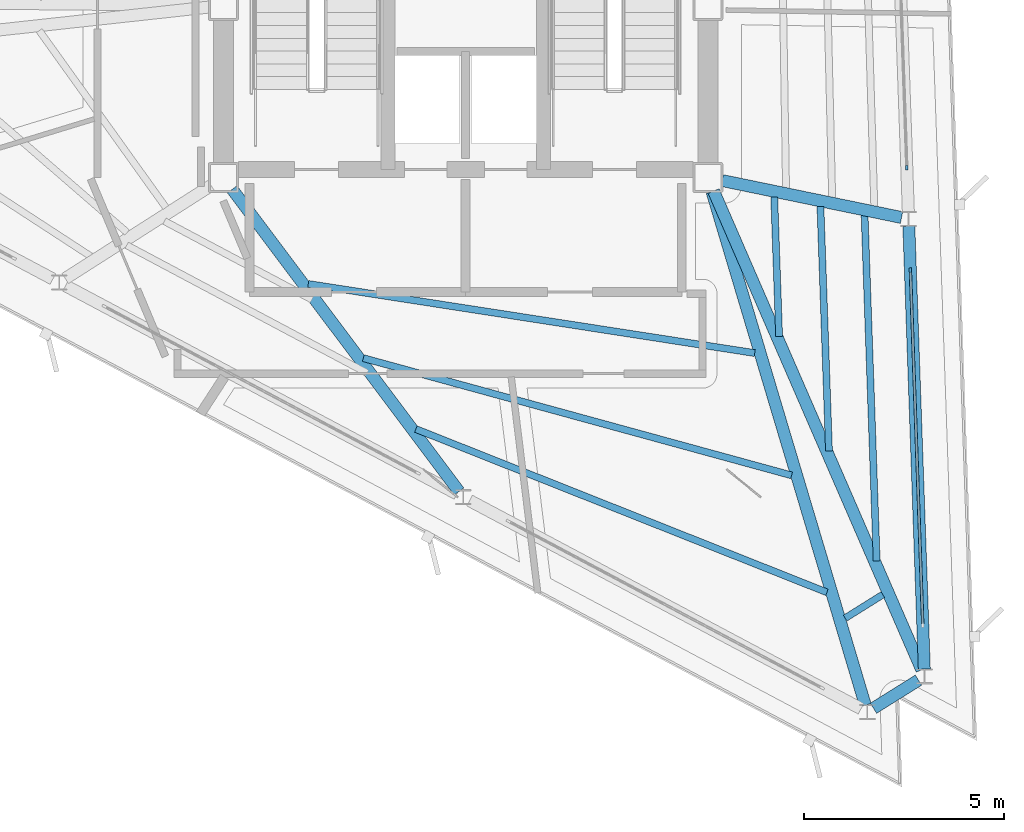
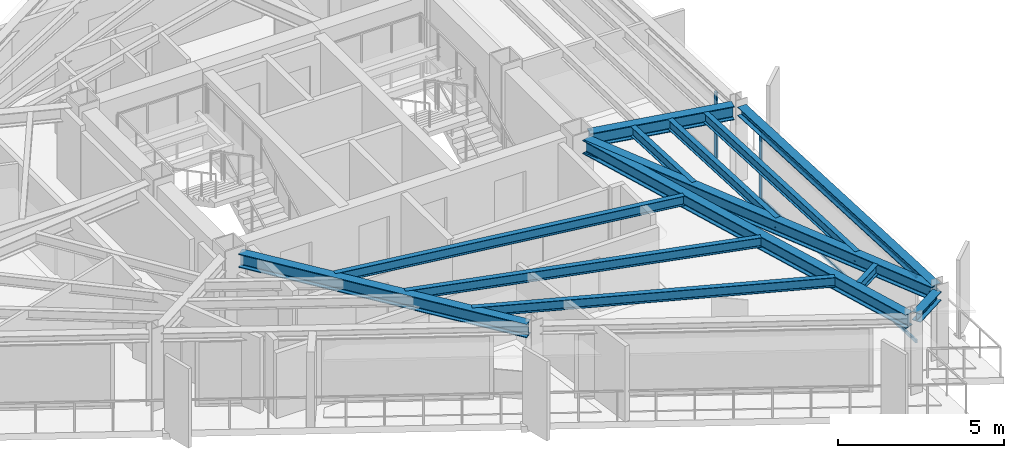
# One storey, part 3 of 13: 13 beams, 4 members, 2 elements without a shape of their own.
"""IFC4 building model written with IfcOpenShell, lengths in metres."""

from ifc_helpers import new_model, si_unit, direction, frame, origin, origin_2d, place, context, subcontext, project, spatial, rectangle, i_section, extrude, material, layer, layer_set, material_profile, profile_set, type_object, element, aggregate, save


model = new_model("IFC4")

# Units and contexts
model_context = context("Model", 3, precision=1e-05, world=origin(), true_north=direction((0.0, 1.0)))
body_context = subcontext(model_context, "Body", "Model", "MODEL_VIEW")
ifc_project = project(units=[si_unit("LENGTHUNIT", "METRE"), si_unit("AREAUNIT", "SQUARE_METRE"), si_unit("VOLUMEUNIT", "CUBIC_METRE"), si_unit("PLANEANGLEUNIT", "RADIAN"), si_unit("MASSUNIT", "GRAM", prefix="KILO")], contexts=[model_context])

# Site, building, storey
site_placement = place(None, origin())
site = spatial("IfcSite", under=ifc_project, at=site_placement, CompositionType="ELEMENT")
building_placement = place(site_placement, origin())
building = spatial("IfcBuilding", under=site, at=building_placement, Name="Rocaltana Carrier Exchange", CompositionType="ELEMENT")
storey_placement = place(building_placement, frame((0.0, 0.0, 208.800048828125)))
storey = spatial("IfcBuildingStorey", under=building, at=storey_placement, Name="L66", CompositionType="ELEMENT", Elevation=208.800048828125)

# Curtain wall, member
ifc_material_1 = material(Name="Aluminium 6063-T6", Category="aluminium")
ifc_layer = layer(ifc_material_1, 0.1201171875)
ifc_layer_set = layer_set([ifc_layer], Name="Aluminium 6063-T6")
curtain_wall_type = type_object("IfcCurtainWallType", Name="High-Altitude Thermal Curtain Wall CW-05", PredefinedType="NOTDEFINED", material=ifc_layer_set)
curtain_wall_1_placement = place(storey_placement, origin())
curtain_wall_1 = element("IfcCurtainWall", 1, at=curtain_wall_1_placement, inside=storey, type_object=curtain_wall_type, Name="L66 CW-05 Run CW-L66-F1S1", PredefinedType="NOTDEFINED")
ifc_material_2 = material(Name="Aluminium 6063-T6", Category="aluminium")
ifc_material_profile_1 = material_profile(ifc_material_2, rectangle(XDim=0.06005859375, YDim=0.1201171875, at=origin_2d()), Name="AL-60X120")
ifc_profile_set_1 = profile_set([ifc_material_profile_1], Name="Aluminium 6063-T6")
member_type_1 = type_object("IfcMemberType", Name="CW-05 Mullion AL-60X120", PredefinedType="MULLION", material=ifc_profile_set_1)
member_1_placement = place(storey_placement, frame((11.11181640625, -6.61279296875, 0.0), z_axis=(0.0, 0.0, 1.0), x_axis=(-0.999390315991, -0.034914127567, 0.0)))
member_1 = element("IfcMember", 2, at=member_1_placement, type_object=member_type_1, Name="CW-05 mullion 2", PredefinedType="MULLION", context=body_context, shape_type="SweptSolid", body=[
    extrude(rectangle(XDim=0.06005859375, YDim=0.1201171875, at=origin_2d()), origin(), (0.0, 0.0, 1.0), 2.447998046875),
])

curtain_wall_2_placement = place(storey_placement, origin())
curtain_wall_2 = element("IfcCurtainWall", 3, at=curtain_wall_2_placement, inside=storey, type_object=curtain_wall_type, Name="L66 CW-05 Run CW-L66-F1S2", PredefinedType="NOTDEFINED")
member_2_placement = place(storey_placement, frame((11.0224609375, -4.054443359375, 0.0), z_axis=(0.0, 0.0, 1.0), x_axis=(-0.999390720156, -0.034902556738, 0.0)))
member_2 = element("IfcMember", 4, at=member_2_placement, type_object=member_type_1, Name="CW-05 mullion 1", PredefinedType="MULLION", context=body_context, shape_type="SweptSolid", body=[
    extrude(rectangle(XDim=0.06005859375, YDim=0.1201171875, at=origin_2d()), origin(), (0.0, 0.0, 1.0), 2.447998046875),
])
aggregate(curtain_wall_2, [member_2])

# Member
ifc_material_3 = material(Name="Aluminium 6063-T6", Category="aluminium")
ifc_material_profile_2 = material_profile(ifc_material_3, rectangle(XDim=0.06005859375, YDim=0.1201171875, at=origin_2d()), Name="AL-60X120")
ifc_profile_set_2 = profile_set([ifc_material_profile_2], Name="Aluminium 6063-T6")
member_type_2 = type_object("IfcMemberType", Name="CW-05 Transom AL-60X120", PredefinedType="USERDEFINED", material=ifc_profile_set_2)
member_3_placement = place(storey_placement, frame((11.420654296875, -15.450927734375, 0.030029296875), z_axis=(-0.034930718371, 0.999389736246, 0.0), x_axis=(-0.999389736246, -0.034930718371, 0.0)))
member_3 = element("IfcMember", 5, at=member_3_placement, type_object=member_type_2, Name="CW-05 transom 1.1", ObjectType="TRANSOM", PredefinedType="USERDEFINED", context=body_context, shape_type="SweptSolid", body=[
    extrude(rectangle(XDim=0.06005859375, YDim=0.1201171875, at=origin_2d()), origin(), (0.0, 0.0, 1.0), 8.8134765625),
])

member_4_placement = place(storey_placement, frame((11.420654296875, -15.450927734375, 2.41796875), z_axis=(-0.034930718371, 0.999389736246, 0.0), x_axis=(-0.999389736246, -0.034930718371, 0.0)))
member_4 = element("IfcMember", 6, at=member_4_placement, type_object=member_type_2, Name="CW-05 transom 1.2", ObjectType="TRANSOM", PredefinedType="USERDEFINED", context=body_context, shape_type="SweptSolid", body=[
    extrude(rectangle(XDim=0.06005859375, YDim=0.1201171875, at=origin_2d()), origin(), (0.0, 0.0, 1.0), 8.8134765625),
])

aggregate(curtain_wall_1, [member_1, member_3, member_4])

# Beams
ifc_material_4 = material(Name="Steel S355", Category="steel")
ifc_material_profile_3 = material_profile(ifc_material_4, i_section(OverallWidth=0.172119140625, OverallDepth=0.35791015625, WebThickness=0.0078125, FlangeThickness=0.01318359375, FilletRadius=0.011962890625, at=origin_2d()), Name="W14X38")
ifc_profile_set_3 = profile_set([ifc_material_profile_3], Name="Steel S355")
beam_type_1 = type_object("IfcBeamType", Name="Floor Joist W14X38", PredefinedType="JOIST", material=ifc_profile_set_3)
beam_1_placement = place(storey_placement, frame((7.83251953125, -8.267822265625, 2.618896484375), z_axis=(-0.034956892031, 0.99938882108, 0.0), x_axis=(-0.99938882108, -0.034956892031, 0.0)))
element("IfcBeam", 7, at=beam_1_placement, inside=storey, type_object=beam_type_1, Name="FJ-L66-01-1", PredefinedType="JOIST", context=body_context, shape_type="SweptSolid", body=[
    extrude(i_section(OverallWidth=0.172119140625, OverallDepth=0.35791015625, WebThickness=0.0078125, FlangeThickness=0.01318359375, FilletRadius=0.011962890625, at=origin_2d()), origin(), (0.0, 0.0, 1.0), 3.485107421875),
])
beam_2_placement = place(storey_placement, frame((9.078125, -11.1337890625, 2.618896484375), z_axis=(-0.034895437924, 0.999390968747, 0.0), x_axis=(-0.999390968747, -0.034895437924, 0.0)))
element("IfcBeam", 8, at=beam_2_placement, inside=storey, type_object=beam_type_1, Name="FJ-L66-01-2", PredefinedType="JOIST", context=body_context, shape_type="SweptSolid", body=[
    extrude(i_section(OverallWidth=0.172119140625, OverallDepth=0.35791015625, WebThickness=0.0078125, FlangeThickness=0.01318359375, FilletRadius=0.011962890625, at=origin_2d()), origin(), (0.0, 0.0, 1.0), 6.11474609375),
])
beam_3_placement = place(storey_placement, frame((10.269775390625, -13.875, 2.618896484375), z_axis=(-0.034909498386, 0.999390477703, 0.0), x_axis=(-0.999390477703, -0.034909498386, 0.0)))
element("IfcBeam", 9, at=beam_3_placement, inside=storey, type_object=beam_type_1, Name="FJ-L66-01-3", PredefinedType="JOIST", context=body_context, shape_type="SweptSolid", body=[
    extrude(i_section(OverallWidth=0.172119140625, OverallDepth=0.35791015625, WebThickness=0.0078125, FlangeThickness=0.01318359375, FilletRadius=0.011962890625, at=origin_2d()), origin(), (0.0, 0.0, 1.0), 8.630126953125),
])
beam_4_placement = place(storey_placement, frame((-3.93017578125, -6.957275390625, 2.618896484375), z_axis=(0.98822318651, -0.153019389764, 0.0), x_axis=(0.153019389764, 0.98822318651, 0.0)))
element("IfcBeam", 10, at=beam_4_placement, inside=storey, type_object=beam_type_1, Name="FJ-L66-11-1", PredefinedType="JOIST", context=body_context, shape_type="SweptSolid", body=[
    extrude(i_section(OverallWidth=0.172119140625, OverallDepth=0.35791015625, WebThickness=0.0078125, FlangeThickness=0.01318359375, FilletRadius=0.011962890625, at=origin_2d()), origin(), (0.0, 0.0, 1.0), 11.286376953125),
])
beam_5_placement = place(storey_placement, frame((-2.555419921875, -8.809814453125, 2.618896484375), z_axis=(0.96449669157, -0.264094929808, 0.0), x_axis=(0.264094929808, 0.96449669157, 0.0)))
element("IfcBeam", 11, at=beam_5_placement, inside=storey, type_object=beam_type_1, Name="FJ-L66-11-2", PredefinedType="JOIST", context=body_context, shape_type="SweptSolid", body=[
    extrude(i_section(OverallWidth=0.172119140625, OverallDepth=0.35791015625, WebThickness=0.0078125, FlangeThickness=0.01318359375, FilletRadius=0.011962890625, at=origin_2d()), origin(), (0.0, 0.0, 1.0), 11.09326171875),
])
beam_6_placement = place(storey_placement, frame((-1.2421875, -10.581787109375, 2.618896484375), z_axis=(0.929319992712, -0.369275440756, 0.0), x_axis=(0.369275440756, 0.929319992712, 0.0)))
element("IfcBeam", 12, at=beam_6_placement, inside=storey, type_object=beam_type_1, Name="FJ-L66-11-3", PredefinedType="JOIST", context=body_context, shape_type="SweptSolid", body=[
    extrude(i_section(OverallWidth=0.172119140625, OverallDepth=0.35791015625, WebThickness=0.0078125, FlangeThickness=0.01318359375, FilletRadius=0.011962890625, at=origin_2d()), origin(), (0.0, 0.0, 1.0), 11.049560546875),
])
beam_7_placement = place(storey_placement, frame((9.481689453125, -15.306640625, 2.618896484375), z_axis=(0.847961248571, 0.530058224087, 0.0), x_axis=(-0.530058224087, 0.847961248571, 0.0)))
element("IfcBeam", 13, at=beam_7_placement, inside=storey, type_object=beam_type_1, Name="FJ-L66-12-3", PredefinedType="JOIST", context=body_context, shape_type="SweptSolid", body=[
    extrude(i_section(OverallWidth=0.172119140625, OverallDepth=0.35791015625, WebThickness=0.0078125, FlangeThickness=0.01318359375, FilletRadius=0.011962890625, at=origin_2d()), origin(), (0.0, 0.0, 1.0), 1.110595703125),
])
ifc_material_5 = material(Name="Steel S355", Category="steel")
ifc_material_profile_4 = material_profile(ifc_material_5, i_section(OverallWidth=0.300048828125, OverallDepth=0.320068359375, WebThickness=0.011474609375, FlangeThickness=0.0205078125, FilletRadius=0.027099609375, at=origin_2d()), Name="HEB320")
ifc_profile_set_4 = profile_set([ifc_material_profile_4], Name="Steel S355")
beam_type_2 = type_object("IfcBeamType", Name="Spandrel Edge Beam HEB320", PredefinedType="SPANDREL", material=ifc_profile_set_4)
beam_8_placement = place(storey_placement, frame((11.4599609375, -16.58056640625, 2.637939453125), z_axis=(-0.034898873062, 0.999390848797, 0.0), x_axis=(-0.999390848797, -0.034898873062, 0.0)))
element("IfcBeam", 14, at=beam_8_placement, inside=storey, type_object=beam_type_2, Name="SP-L66-01", PredefinedType="SPANDREL", context=body_context, shape_type="SweptSolid", body=[
    extrude(i_section(OverallWidth=0.300048828125, OverallDepth=0.320068359375, WebThickness=0.011474609375, FlangeThickness=0.0205078125, FilletRadius=0.027099609375, at=origin_2d()), origin(), (0.0, 0.0, 1.0), 11.07421875),
])
beam_9_placement = place(storey_placement, frame((10.189697265625, -17.557861328125, 2.637939453125), z_axis=(0.847977617648, 0.530032036737, 0.0), x_axis=(-0.530032036737, 0.847977617648, 0.0)))
element("IfcBeam", 15, at=beam_9_placement, inside=storey, type_object=beam_type_2, Name="SP-L66-12", PredefinedType="SPANDREL", context=body_context, shape_type="SweptSolid", body=[
    extrude(i_section(OverallWidth=0.300048828125, OverallDepth=0.320068359375, WebThickness=0.011474609375, FlangeThickness=0.0205078125, FilletRadius=0.027099609375, at=origin_2d()), origin(), (0.0, 0.0, 1.0), 1.326171875),
])
ifc_material_6 = material(Name="Steel S355", Category="steel")
ifc_material_profile_5 = material_profile(ifc_material_6, i_section(OverallWidth=0.300048828125, OverallDepth=0.5, WebThickness=0.014404296875, FlangeThickness=0.028076171875, FilletRadius=0.027099609375, at=origin_2d()), Name="HEB500")
ifc_profile_set_5 = profile_set([ifc_material_profile_5], Name="Steel S355")
beam_type_3 = type_object("IfcBeamType", Name="Upper Radial Girder HEB500", PredefinedType="BEAM", material=ifc_profile_set_5)
beam_10_placement = place(storey_placement, frame((6.1962890625, -4.63671875, 2.5478515625), z_axis=(0.398663810423, -0.917097141125, 0.0), x_axis=(0.917097141125, 0.398663810423, 0.0)))
element("IfcBeam", 16, at=beam_10_placement, inside=storey, type_object=beam_type_3, Name="RG-L66-01", PredefinedType="BEAM", context=body_context, shape_type="SweptSolid", body=[
    extrude(i_section(OverallWidth=0.300048828125, OverallDepth=0.5, WebThickness=0.014404296875, FlangeThickness=0.028076171875, FilletRadius=0.027099609375, at=origin_2d()), origin(), (0.0, 0.0, 1.0), 13.039794921875),
])
beam_11_placement = place(storey_placement, frame((6.409423828125, -4.3740234375, 2.5478515625), z_axis=(0.979421076518, -0.201827537448, 0.0), x_axis=(0.201827537448, 0.979421076518, 0.0)))
element("IfcBeam", 17, at=beam_11_placement, inside=storey, type_object=beam_type_3, Name="RG-L66-02", PredefinedType="BEAM", context=body_context, shape_type="SweptSolid", body=[
    extrude(i_section(OverallWidth=0.300048828125, OverallDepth=0.5, WebThickness=0.014404296875, FlangeThickness=0.028076171875, FilletRadius=0.027099609375, at=origin_2d()), origin(), (0.0, 0.0, 1.0), 4.576171875),
])
beam_12_placement = place(storey_placement, frame((-5.82958984375, -4.593505859375, 2.5478515625), z_axis=(0.600219358508, -0.799835434119, 0.0), x_axis=(0.799835434119, 0.600219358508, 0.0)))
element("IfcBeam", 18, at=beam_12_placement, inside=storey, type_object=beam_type_3, Name="RG-L66-11", PredefinedType="BEAM", context=body_context, shape_type="SweptSolid", body=[
    extrude(i_section(OverallWidth=0.300048828125, OverallDepth=0.5, WebThickness=0.014404296875, FlangeThickness=0.028076171875, FilletRadius=0.027099609375, at=origin_2d()), origin(), (0.0, 0.0, 1.0), 9.43701171875),
])
beam_13_placement = place(storey_placement, frame((6.155029296875, -4.651611328125, 2.5478515625), z_axis=(0.286131481219, -0.958190364936, 0.0), x_axis=(0.958190364936, 0.286131481219, 0.0)))
element("IfcBeam", 19, at=beam_13_placement, inside=storey, type_object=beam_type_3, Name="RG-L66-12", PredefinedType="BEAM", context=body_context, shape_type="SweptSolid", body=[
    extrude(i_section(OverallWidth=0.300048828125, OverallDepth=0.5, WebThickness=0.014404296875, FlangeThickness=0.028076171875, FilletRadius=0.027099609375, at=origin_2d()), origin(), (0.0, 0.0, 1.0), 13.38916015625),
])

save(model, "model.ifc")
